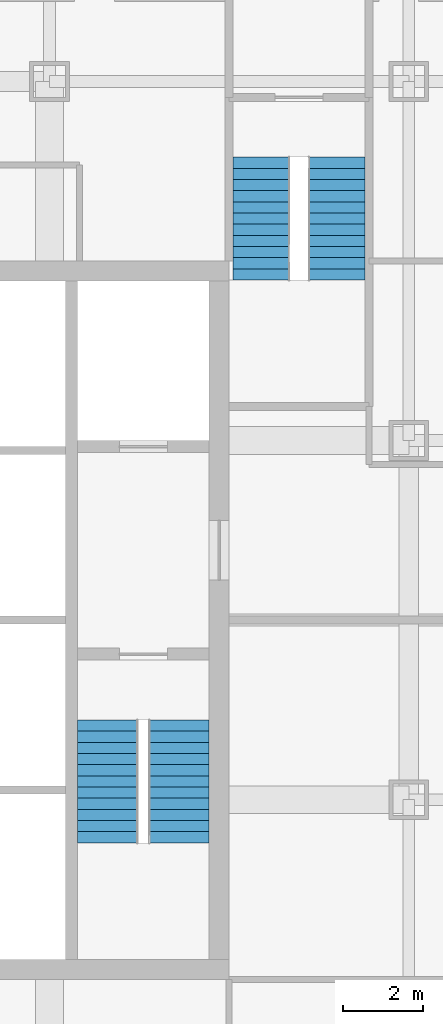
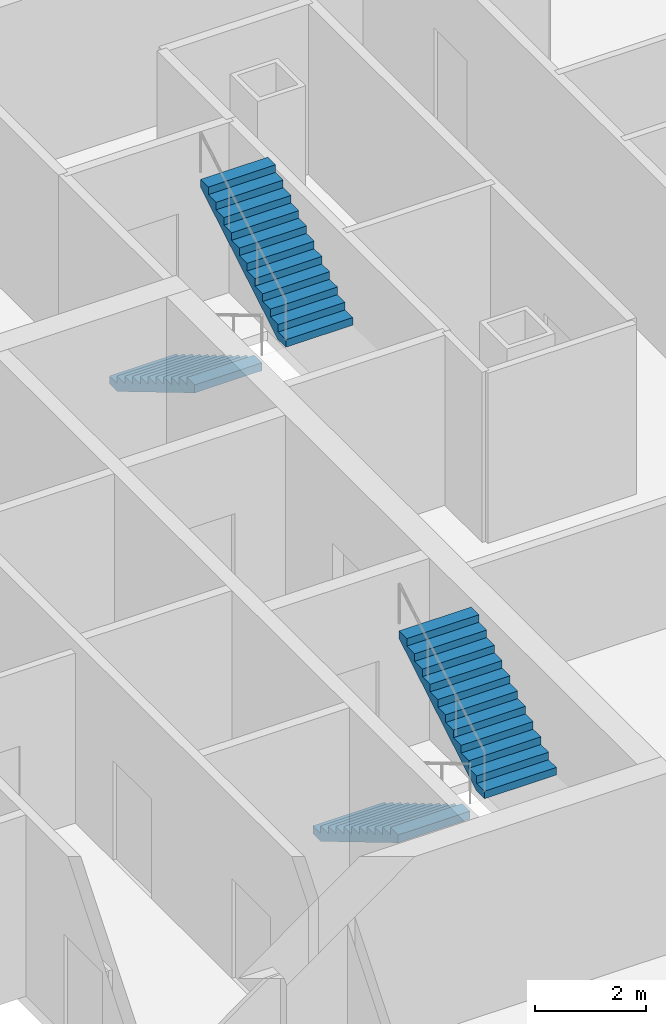
# One storey, part 12 of 13: 4 stair flights, 2 elements without a shape of their own.
"""IFC4 building model written with IfcOpenShell, lengths in metres."""

from ifc_helpers import new_model, si_unit, direction, frame, origin, place, context, subcontext, project, spatial, polyline, outline, extrude, material, type_object, element, aggregate, save


model = new_model("IFC4")

# Units and contexts
model_context = context("Model", 3, precision=1e-05, world=origin(), true_north=direction((0.0, 1.0)))
body_context = subcontext(model_context, "Body", "Model", "MODEL_VIEW")
ifc_project = project(units=[si_unit("LENGTHUNIT", "METRE"), si_unit("AREAUNIT", "SQUARE_METRE"), si_unit("VOLUMEUNIT", "CUBIC_METRE"), si_unit("PLANEANGLEUNIT", "RADIAN"), si_unit("MASSUNIT", "GRAM", prefix="KILO")], contexts=[model_context])

# Site, building, storey
site_placement = place(None, origin())
site = spatial("IfcSite", under=ifc_project, at=site_placement, CompositionType="ELEMENT")
building_placement = place(site_placement, origin())
building = spatial("IfcBuilding", under=site, at=building_placement, Name="Malebo Sky Hospital", CompositionType="ELEMENT")
storey_placement = place(building_placement, frame((0.0, 0.0, 47.0)))
storey = spatial("IfcBuildingStorey", under=building, at=storey_placement, Name="L10", CompositionType="ELEMENT", Elevation=47.0)

# Stair, stair flights
ifc_material = material(Name="Concrete C40/50", Category="concrete")
stair_type_1 = type_object("IfcStairType", Name="HALF-TURN STAIR 1400 R167", PredefinedType="HALF_TURN_STAIR", material=ifc_material)
stair_1_placement = place(storey_placement, origin())
stair_1 = element("IfcStair", 1, at=stair_1_placement, inside=storey, type_object=stair_type_1, Name="Stair S3 L10 type ST1B", PredefinedType="HALF_TURN_STAIR")
stair_flight_type_1 = type_object("IfcStairFlightType", Name="STAIR FLIGHT 1400 R167", PredefinedType="STRAIGHT", material=ifc_material)
stair_flight_1_placement = place(storey_placement, frame((69.800048828125, 73.60009765625, 0.0), z_axis=(0.0, 0.0, 1.0), x_axis=(0.0, -1.0, 0.0)))
stair_flight_1 = element("IfcStairFlight", 2, at=stair_flight_1_placement, type_object=stair_flight_type_1, Name="S3 flight 1 type SF1B", NumberOfRisers=12, NumberOfTreads=11, PredefinedType="STRAIGHT", RiserHeight=0.166666667, TreadLength=0.28, context=body_context, shape_type="SweptSolid", body=[
    extrude(outline(polyline([(0.0, 0.0), (0.0, 0.166748046875), (0.280029296875, 0.166748046875), (0.280029296875, 0.333251953125), (0.56005859375, 0.333251953125), (0.56005859375, 0.5), (0.840087890625, 0.5), (0.840087890625, 0.666748046875), (1.1201171875, 0.666748046875), (1.1201171875, 0.833251953125), (1.39990234375, 0.833251953125), (1.39990234375, 1.0), (1.679931640625, 1.0), (1.679931640625, 1.166748046875), (1.9599609375, 1.166748046875), (1.9599609375, 1.333251953125), (2.239990234375, 1.333251953125), (2.239990234375, 1.5), (2.52001953125, 1.5), (2.52001953125, 1.666748046875), (2.800048828125, 1.666748046875), (2.800048828125, 1.833251953125), (3.080078125, 1.833251953125), (3.080078125, 2.0), (3.080078125, 1.658935546875), (0.29296875, 0.0), (0.0, 0.0)])), frame((0.0, 0.699951171875, 0.0), z_axis=(0.0, -1.0, 0.0), x_axis=(1.0, 0.0, 0.0)), (0.0, 0.0, 1.0), 1.39990234375),
])
stair_flight_2_placement = place(storey_placement, frame((71.699951171875, 70.52001953125, 2.0), z_axis=(0.0, 0.0, 1.0), x_axis=(0.0, 1.0, 0.0)))
stair_flight_2 = element("IfcStairFlight", 3, at=stair_flight_2_placement, type_object=stair_flight_type_1, Name="S3 flight 2 type SF1B", NumberOfRisers=12, NumberOfTreads=11, PredefinedType="STRAIGHT", RiserHeight=0.166666667, TreadLength=0.28, context=body_context, shape_type="SweptSolid", body=[
    extrude(outline(polyline([(0.0, 0.0), (0.0, 0.166748046875), (0.280029296875, 0.166748046875), (0.280029296875, 0.333251953125), (0.56005859375, 0.333251953125), (0.56005859375, 0.5), (0.840087890625, 0.5), (0.840087890625, 0.666748046875), (1.1201171875, 0.666748046875), (1.1201171875, 0.833251953125), (1.39990234375, 0.833251953125), (1.39990234375, 1.0), (1.679931640625, 1.0), (1.679931640625, 1.166748046875), (1.9599609375, 1.166748046875), (1.9599609375, 1.333251953125), (2.239990234375, 1.333251953125), (2.239990234375, 1.5), (2.52001953125, 1.5), (2.52001953125, 1.666748046875), (2.800048828125, 1.666748046875), (2.800048828125, 1.833251953125), (3.080078125, 1.833251953125), (3.080078125, 2.0), (3.080078125, 1.658935546875), (0.29296875, 0.0), (0.0, 0.0)])), frame((0.0, 0.699951171875, 0.0), z_axis=(0.0, -1.0, 0.0), x_axis=(1.0, 0.0, 0.0)), (0.0, 0.0, 1.0), 1.39990234375),
])
aggregate(stair_1, [stair_flight_1, stair_flight_2])

stair_type_2 = type_object("IfcStairType", Name="HALF-TURN STAIR 1500 R167", PredefinedType="HALF_TURN_STAIR", material=ifc_material)
stair_2_placement = place(storey_placement, origin())
stair_2 = element("IfcStair", 4, at=stair_2_placement, inside=storey, type_object=stair_type_2, Name="Stair S2 L10 type ST1", PredefinedType="HALF_TURN_STAIR")
stair_flight_type_2 = type_object("IfcStairFlightType", Name="STAIR FLIGHT 1500 R167", PredefinedType="STRAIGHT", material=ifc_material)
stair_flight_3_placement = place(storey_placement, frame((65.949951171875, 59.5, 0.0), z_axis=(0.0, 0.0, 1.0), x_axis=(0.0, -1.0, 0.0)))
stair_flight_3 = element("IfcStairFlight", 5, at=stair_flight_3_placement, type_object=stair_flight_type_2, Name="S2 flight 1 type SF1", NumberOfRisers=12, NumberOfTreads=11, PredefinedType="STRAIGHT", RiserHeight=0.166666667, TreadLength=0.28, context=body_context, shape_type="SweptSolid", body=[
    extrude(outline(polyline([(0.0, 0.0), (0.0, 0.166748046875), (0.280029296875, 0.166748046875), (0.280029296875, 0.333251953125), (0.56005859375, 0.333251953125), (0.56005859375, 0.5), (0.840087890625, 0.5), (0.840087890625, 0.666748046875), (1.1201171875, 0.666748046875), (1.1201171875, 0.833251953125), (1.39990234375, 0.833251953125), (1.39990234375, 1.0), (1.679931640625, 1.0), (1.679931640625, 1.166748046875), (1.9599609375, 1.166748046875), (1.9599609375, 1.333251953125), (2.239990234375, 1.333251953125), (2.239990234375, 1.5), (2.52001953125, 1.5), (2.52001953125, 1.666748046875), (2.800048828125, 1.666748046875), (2.800048828125, 1.833251953125), (3.080078125, 1.833251953125), (3.080078125, 2.0), (3.080078125, 1.658935546875), (0.29296875, 0.0), (0.0, 0.0)])), frame((0.0, 0.75, 0.0), z_axis=(0.0, -1.0, 0.0), x_axis=(1.0, 0.0, 0.0)), (0.0, 0.0, 1.0), 1.5),
])
stair_flight_4_placement = place(storey_placement, frame((67.75, 56.419921875, 2.0), z_axis=(0.0, 0.0, 1.0), x_axis=(0.0, 1.0, 0.0)))
stair_flight_4 = element("IfcStairFlight", 6, at=stair_flight_4_placement, type_object=stair_flight_type_2, Name="S2 flight 2 type SF1", NumberOfRisers=12, NumberOfTreads=11, PredefinedType="STRAIGHT", RiserHeight=0.166666667, TreadLength=0.28, context=body_context, shape_type="SweptSolid", body=[
    extrude(outline(polyline([(0.0, 0.0), (0.0, 0.166748046875), (0.280029296875, 0.166748046875), (0.280029296875, 0.333251953125), (0.56005859375, 0.333251953125), (0.56005859375, 0.5), (0.840087890625, 0.5), (0.840087890625, 0.666748046875), (1.1201171875, 0.666748046875), (1.1201171875, 0.833251953125), (1.39990234375, 0.833251953125), (1.39990234375, 1.0), (1.679931640625, 1.0), (1.679931640625, 1.166748046875), (1.9599609375, 1.166748046875), (1.9599609375, 1.333251953125), (2.239990234375, 1.333251953125), (2.239990234375, 1.5), (2.52001953125, 1.5), (2.52001953125, 1.666748046875), (2.800048828125, 1.666748046875), (2.800048828125, 1.833251953125), (3.080078125, 1.833251953125), (3.080078125, 2.0), (3.080078125, 1.658935546875), (0.29296875, 0.0), (0.0, 0.0)])), frame((0.0, 0.75, 0.0), z_axis=(0.0, -1.0, 0.0), x_axis=(1.0, 0.0, 0.0)), (0.0, 0.0, 1.0), 1.5),
])
aggregate(stair_2, [stair_flight_3, stair_flight_4])

save(model, "model.ifc")
